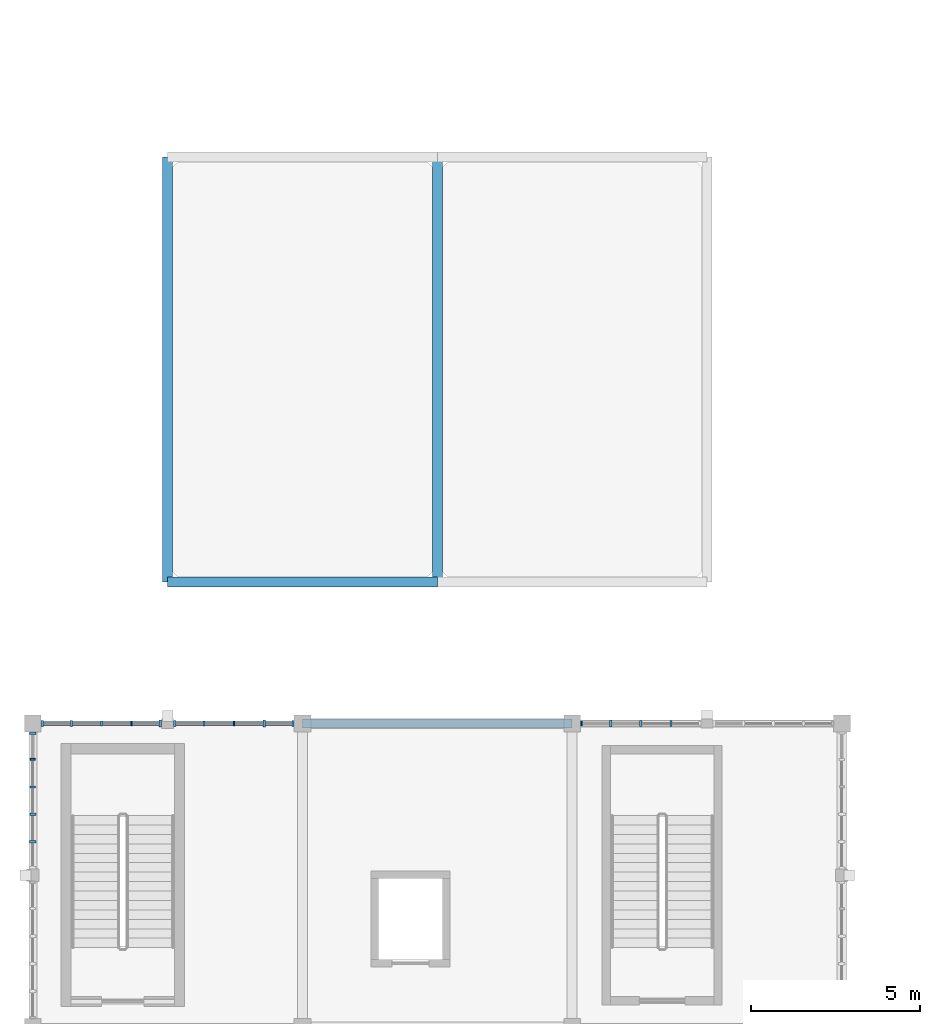
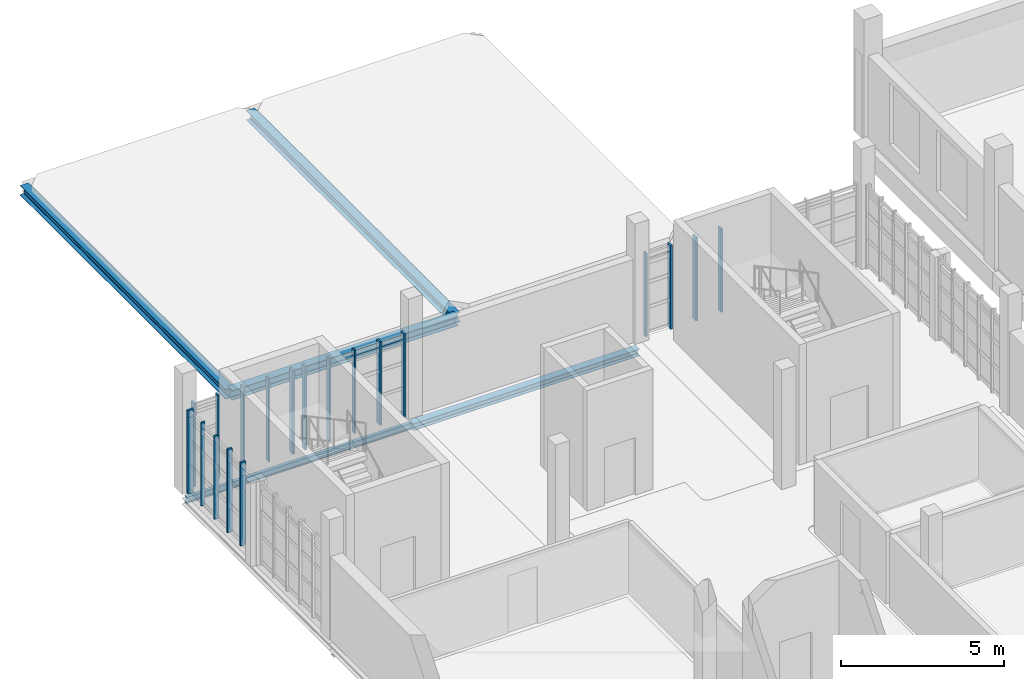
# One storey, part 21 of 125: 19 members, 5 beams, 4 elements without a shape of their own.
"""IFC4 building model written with IfcOpenShell, lengths in metres."""

from ifc_helpers import new_model, si_unit, direction, frame, origin, origin_2d, place, context, subcontext, project, spatial, rectangle, i_section, extrude, material, material_profile, profile_set, type_object, element, aggregate, save


model = new_model("IFC4")

# Units and contexts
model_context = context("Model", 3, precision=1e-05, world=origin(), true_north=direction((0.0, 1.0)))
body_context = subcontext(model_context, "Body", "Model", "MODEL_VIEW")
ifc_project = project(units=[si_unit("LENGTHUNIT", "METRE"), si_unit("AREAUNIT", "SQUARE_METRE"), si_unit("VOLUMEUNIT", "CUBIC_METRE"), si_unit("PLANEANGLEUNIT", "RADIAN"), si_unit("MASSUNIT", "GRAM", prefix="KILO")], contexts=[model_context])

# Site, building, storey
site_placement = place(None, origin())
site = spatial("IfcSite", under=ifc_project, at=site_placement, CompositionType="ELEMENT")
building_placement = place(site_placement, origin())
building = spatial("IfcBuilding", under=site, at=building_placement, Name="Serraforn Aerial Cableway Station", CompositionType="ELEMENT")
storey_placement = place(building_placement, frame((0.0, 0.0, 4.5)))
storey = spatial("IfcBuildingStorey", under=building, at=storey_placement, Name="L01", CompositionType="ELEMENT", Elevation=4.5)

# Beams
ifc_material_1 = material(Name="Steel S355JR", Category="steel")
ifc_material_profile_1 = material_profile(ifc_material_1, i_section(OverallWidth=0.300048828125, OverallDepth=0.360107421875, WebThickness=0.010009765625, FlangeThickness=0.017578125, FilletRadius=0.027099609375, at=origin_2d()), Name="HEA 360")
ifc_profile_set_1 = profile_set([ifc_material_profile_1], Name="Steel S355JR")
beam_type_1 = type_object("IfcBeamType", Name="BM-ST-HEA360", PredefinedType="BEAM", material=ifc_profile_set_1)
beam_1_placement = place(storey_placement, frame((4.0, 40.199951171875, -0.39990234375), z_axis=(1.0, 0.0, 0.0), x_axis=(0.0, 1.0, 0.0)))
element("IfcBeam", 1, at=beam_1_placement, inside=storey, type_object=beam_type_1, Name="Colonnade Spandrel Beam WX-1-1", PredefinedType="BEAM", context=body_context, shape_type="SweptSolid", body=[
    extrude(i_section(OverallWidth=0.300048828125, OverallDepth=0.360107421875, WebThickness=0.010009765625, FlangeThickness=0.017578125, FilletRadius=0.027099609375, at=origin_2d()), origin(), (0.0, 0.0, 1.0), 8.0),
])
for number, where, z_axis, x_axis, name in (
    (2, (4.0, 40.199951171875, -0.39990234375), (0.0, 1.0, 0.0), (-1.0, 0.0, 0.0), "Colonnade Cross Beam WY-1-1"),
    (3, (12.0, 40.199951171875, -0.39990234375), (0.0, 1.0, 0.0), (-1.0, 0.0, 0.0), "Colonnade Cross Beam WY-2-1"),
):
    element("IfcBeam", number, at=place(storey_placement, frame(where, z_axis=z_axis, x_axis=x_axis)), inside=storey, type_object=beam_type_1, Name=name, PredefinedType="BEAM", context=body_context, shape_type="SweptSolid", body=[
        extrude(i_section(OverallWidth=0.300048828125, OverallDepth=0.360107421875, WebThickness=0.010009765625, FlangeThickness=0.017578125, FilletRadius=0.027099609375, at=origin_2d()), origin(), (0.0, 0.0, 1.0), 12.60009765625),
    ])
ifc_material_2 = material(Name="Steel S355J2", Category="steel")
ifc_material_profile_2 = material_profile(ifc_material_2, i_section(OverallWidth=0.260009765625, OverallDepth=0.260009765625, WebThickness=0.010009765625, FlangeThickness=0.017578125, FilletRadius=0.02392578125, at=origin_2d()), Name="HEB 260")
ifc_profile_set_2 = profile_set([ifc_material_profile_2], Name="Steel S355J2")
beam_type_2 = type_object("IfcBeamType", Name="BM-ST-HEB260", PredefinedType="BEAM", material=ifc_profile_set_2)
beam_2_placement = place(storey_placement, frame((8.0, 36.0, -0.449951171875), z_axis=(1.0, 0.0, 0.0), x_axis=(0.0, 1.0, 0.0)))
element("IfcBeam", 4, at=beam_2_placement, inside=storey, type_object=beam_type_2, Name="Grid Girder X W L01 Y5-2", PredefinedType="BEAM", context=body_context, shape_type="SweptSolid", body=[
    extrude(i_section(OverallWidth=0.260009765625, OverallDepth=0.260009765625, WebThickness=0.010009765625, FlangeThickness=0.017578125, FilletRadius=0.02392578125, at=origin_2d()), origin(), (0.0, 0.0, 1.0), 8.0),
])
ifc_material_profile_3 = material_profile(ifc_material_1, i_section(OverallWidth=0.1201171875, OverallDepth=0.239990234375, WebThickness=0.006103515625, FlangeThickness=0.009765625, FilletRadius=0.014892578125, at=origin_2d()), Name="IPE 240")
ifc_profile_set_3 = profile_set([ifc_material_profile_3], Name="Steel S355JR")
beam_type_3 = type_object("IfcBeamType", Name="BM-ST-IPE240", PredefinedType="SPANDREL", material=ifc_profile_set_3)
beam_3_placement = place(storey_placement, frame((0.0, 36.0, -0.43994140625), z_axis=(1.0, 0.0, 0.0), x_axis=(0.0, 1.0, 0.0)))
element("IfcBeam", 5, at=beam_3_placement, inside=storey, type_object=beam_type_3, Name="Grid Girder X W L01 Y5-1", PredefinedType="SPANDREL", context=body_context, shape_type="SweptSolid", body=[
    extrude(i_section(OverallWidth=0.1201171875, OverallDepth=0.239990234375, WebThickness=0.006103515625, FlangeThickness=0.009765625, FilletRadius=0.014892578125, at=origin_2d()), origin(), (0.0, 0.0, 1.0), 8.0),
])

# Curtain wall, member
ifc_material_3 = material(Name="Anodised bronze unitised curtain wall")
curtain_wall_type_1 = type_object("IfcCurtainWallType", Name="CW-SYS-13", PredefinedType="USERDEFINED", material=ifc_material_3)
curtain_wall_1_placement = place(storey_placement, origin())
curtain_wall_1 = element("IfcCurtainWall", 6, at=curtain_wall_1_placement, inside=storey, type_object=curtain_wall_type_1, Name="Unitised Curtain Wall CW-W-L01-N1A", ObjectType="UNITISED CURTAIN WALL", PredefinedType="USERDEFINED")
ifc_material_4 = material(Name="Anodised bronze extruded aluminium", Category="aluminium")
ifc_material_profile_4 = material_profile(ifc_material_4, rectangle(XDim=0.054931640625, YDim=0.139892578125, at=origin_2d()), Name="CW MULLION 55x140")
ifc_profile_set_4 = profile_set([ifc_material_profile_4], Name="Anodised bronze extruded aluminium")
member_type_1 = type_object("IfcMemberType", Name="CW-MUL-1", PredefinedType="MULLION", material=ifc_profile_set_4)
member_1_placement = place(storey_placement, frame((5.966064453125, 36.0, 0.0), z_axis=(0.0, 0.0, 1.0), x_axis=(-1.0, 0.0, 0.0)))
member_1 = element("IfcMember", 7, at=member_1_placement, type_object=member_type_1, Name="Curtain Wall Mullion CW-W-L01-N1A-M3", PredefinedType="MULLION", context=body_context, shape_type="SweptSolid", body=[
    extrude(rectangle(XDim=0.054931640625, YDim=0.139892578125, at=origin_2d()), origin(), (0.0, 0.0, 1.0), 3.1201171875),
])

curtain_wall_type_2 = type_object("IfcCurtainWallType", Name="CW-SYS-14", PredefinedType="USERDEFINED", material=ifc_material_3)
curtain_wall_2_placement = place(storey_placement, origin())
curtain_wall_2 = element("IfcCurtainWall", 8, at=curtain_wall_2_placement, inside=storey, type_object=curtain_wall_type_2, Name="Unitised Curtain Wall CW-W-L01-N1B", ObjectType="UNITISED CURTAIN WALL", PredefinedType="USERDEFINED")
member_2_placement = place(storey_placement, frame((2.927001953125, 36.0, 0.0), z_axis=(0.0, 0.0, 1.0), x_axis=(-1.0, 0.0, 0.0)))
member_2 = element("IfcMember", 9, at=member_2_placement, type_object=member_type_1, Name="Curtain Wall Mullion CW-W-L01-N1B-M2", PredefinedType="MULLION", context=body_context, shape_type="SweptSolid", body=[
    extrude(rectangle(XDim=0.054931640625, YDim=0.139892578125, at=origin_2d()), origin(), (0.0, 0.0, 1.0), 3.1201171875),
])

curtain_wall_type_3 = type_object("IfcCurtainWallType", Name="CW-SYS-16", PredefinedType="USERDEFINED", material=ifc_material_3)
curtain_wall_3_placement = place(storey_placement, origin())
curtain_wall_3 = element("IfcCurtainWall", 10, at=curtain_wall_3_placement, inside=storey, type_object=curtain_wall_type_3, Name="Unitised Curtain Wall CW-W-L01-N3B", ObjectType="UNITISED CURTAIN WALL", PredefinedType="USERDEFINED")
member_3_placement = place(storey_placement, frame((16.275390625, 36.0, 0.0), z_axis=(0.0, 0.0, 1.0), x_axis=(-1.0, 0.0, 0.0)))
member_3 = element("IfcMember", 11, at=member_3_placement, type_object=member_type_1, Name="Curtain Wall Mullion CW-W-L01-N3B-M5", PredefinedType="MULLION", context=body_context, shape_type="SweptSolid", body=[
    extrude(rectangle(XDim=0.054931640625, YDim=0.139892578125, at=origin_2d()), origin(), (0.0, 0.0, 1.0), 3.1201171875),
])

curtain_wall_type_4 = type_object("IfcCurtainWallType", Name="CW-SYS-19", PredefinedType="USERDEFINED", material=ifc_material_3)
curtain_wall_4_placement = place(storey_placement, origin())
curtain_wall_4 = element("IfcCurtainWall", 12, at=curtain_wall_4_placement, inside=storey, type_object=curtain_wall_type_4, Name="Unitised Curtain Wall CW-W-L01-W4A", ObjectType="UNITISED CURTAIN WALL", PredefinedType="USERDEFINED")
member_4_placement = place(storey_placement, frame((0.0, 34.9375, 0.0), z_axis=(0.0, 0.0, 1.0), x_axis=(0.0, -1.0, 0.0)))
member_4 = element("IfcMember", 13, at=member_4_placement, type_object=member_type_1, Name="Curtain Wall Mullion CW-W-L01-W4A-M2", PredefinedType="MULLION", context=body_context, shape_type="SweptSolid", body=[
    extrude(rectangle(XDim=0.054931640625, YDim=0.139892578125, at=origin_2d()), origin(), (0.0, 0.0, 1.0), 3.1201171875),
])

# Member
ifc_material_profile_5 = material_profile(ifc_material_4, rectangle(XDim=0.06005859375, YDim=0.159912109375, at=origin_2d()), Name="CW MULLION 60x160")
ifc_profile_set_5 = profile_set([ifc_material_profile_5], Name="Anodised bronze extruded aluminium")
member_type_2 = type_object("IfcMemberType", Name="CW-MUL-2", PredefinedType="MULLION", material=ifc_profile_set_5)
member_5_placement = place(storey_placement, frame((5.072998046875, 36.0, 0.0), z_axis=(0.0, 0.0, 1.0), x_axis=(-1.0, 0.0, 0.0)))
member_5 = element("IfcMember", 14, at=member_5_placement, type_object=member_type_2, Name="Curtain Wall Mullion CW-W-L01-N1A-M4", PredefinedType="MULLION", context=body_context, shape_type="SweptSolid", body=[
    extrude(rectangle(XDim=0.06005859375, YDim=0.159912109375, at=origin_2d()), origin(), (0.0, 0.0, 1.0), 3.1201171875),
])

member_6_placement = place(storey_placement, frame((2.033935546875, 36.0, 0.0), z_axis=(0.0, 0.0, 1.0), x_axis=(-1.0, 0.0, 0.0)))
member_6 = element("IfcMember", 15, at=member_6_placement, type_object=member_type_2, Name="Curtain Wall Mullion CW-W-L01-N1B-M3", PredefinedType="MULLION", context=body_context, shape_type="SweptSolid", body=[
    extrude(rectangle(XDim=0.06005859375, YDim=0.159912109375, at=origin_2d()), origin(), (0.0, 0.0, 1.0), 3.1201171875),
])

member_7_placement = place(storey_placement, frame((0.0, 34.123291015625, 0.0), z_axis=(0.0, 0.0, 1.0), x_axis=(0.0, -1.0, 0.0)))
member_7 = element("IfcMember", 16, at=member_7_placement, type_object=member_type_2, Name="Curtain Wall Mullion CW-W-L01-W4A-M3", PredefinedType="MULLION", context=body_context, shape_type="SweptSolid", body=[
    extrude(rectangle(XDim=0.06005859375, YDim=0.159912109375, at=origin_2d()), origin(), (0.0, 0.0, 1.0), 3.1201171875),
])

ifc_material_profile_6 = material_profile(ifc_material_4, rectangle(XDim=0.06494140625, YDim=0.175048828125, at=origin_2d()), Name="CW MULLION 65x175")
ifc_profile_set_6 = profile_set([ifc_material_profile_6], Name="Anodised bronze extruded aluminium")
member_type_3 = type_object("IfcMemberType", Name="CW-MUL-3", PredefinedType="MULLION", material=ifc_profile_set_6)
member_8_placement = place(storey_placement, frame((4.21240234375, 36.0, 0.0), z_axis=(0.0, 0.0, 1.0), x_axis=(-1.0, 0.0, 0.0)))
member_8 = element("IfcMember", 17, at=member_8_placement, type_object=member_type_3, Name="Curtain Wall Mullion CW-W-L01-N1A-M5", PredefinedType="MULLION", context=body_context, shape_type="SweptSolid", body=[
    extrude(rectangle(XDim=0.06494140625, YDim=0.175048828125, at=origin_2d()), origin(), (0.0, 0.0, 1.0), 3.1201171875),
])

member_9_placement = place(storey_placement, frame((1.14111328125, 36.0, 0.0), z_axis=(0.0, 0.0, 1.0), x_axis=(-1.0, 0.0, 0.0)))
member_9 = element("IfcMember", 18, at=member_9_placement, type_object=member_type_3, Name="Curtain Wall Mullion CW-W-L01-N1B-M4", PredefinedType="MULLION", context=body_context, shape_type="SweptSolid", body=[
    extrude(rectangle(XDim=0.06494140625, YDim=0.175048828125, at=origin_2d()), origin(), (0.0, 0.0, 1.0), 3.1201171875),
])

member_10_placement = place(storey_placement, frame((18.927001953125, 36.0, 0.0), z_axis=(0.0, 0.0, 1.0), x_axis=(-1.0, 0.0, 0.0)))
member_10 = element("IfcMember", 19, at=member_10_placement, type_object=member_type_3, Name="Curtain Wall Mullion CW-W-L01-N3B-M2", PredefinedType="MULLION", context=body_context, shape_type="SweptSolid", body=[
    extrude(rectangle(XDim=0.06494140625, YDim=0.175048828125, at=origin_2d()), origin(), (0.0, 0.0, 1.0), 3.1201171875),
])

member_11_placement = place(storey_placement, frame((0.0, 33.308837890625, 0.0), z_axis=(0.0, 0.0, 1.0), x_axis=(0.0, -1.0, 0.0)))
member_11 = element("IfcMember", 20, at=member_11_placement, type_object=member_type_3, Name="Curtain Wall Mullion CW-W-L01-W4A-M4", PredefinedType="MULLION", context=body_context, shape_type="SweptSolid", body=[
    extrude(rectangle(XDim=0.06494140625, YDim=0.175048828125, at=origin_2d()), origin(), (0.0, 0.0, 1.0), 3.1201171875),
])

ifc_material_profile_7 = material_profile(ifc_material_4, rectangle(XDim=0.070068359375, YDim=0.18994140625, at=origin_2d()), Name="CW MULLION 70x190")
ifc_profile_set_7 = profile_set([ifc_material_profile_7], Name="Anodised bronze extruded aluminium")
member_type_4 = type_object("IfcMemberType", Name="CW-MUL-4", PredefinedType="MULLION", material=ifc_profile_set_7)
member_12_placement = place(storey_placement, frame((7.717041015625, 36.0, 0.0), z_axis=(0.0, 0.0, 1.0), x_axis=(-1.0, 0.0, 0.0)))
member_12 = element("IfcMember", 21, at=member_12_placement, type_object=member_type_4, Name="Curtain Wall Mullion CW-W-L01-N1A-M1", PredefinedType="MULLION", context=body_context, shape_type="SweptSolid", body=[
    extrude(rectangle(XDim=0.070068359375, YDim=0.18994140625, at=origin_2d()), origin(), (0.0, 0.0, 1.0), 3.1201171875),
])

member_13_placement = place(storey_placement, frame((0.282958984375, 36.0, 0.0), z_axis=(0.0, 0.0, 1.0), x_axis=(-1.0, 0.0, 0.0)))
member_13 = element("IfcMember", 22, at=member_13_placement, type_object=member_type_4, Name="Curtain Wall Mullion CW-W-L01-N1B-M5", PredefinedType="MULLION", context=body_context, shape_type="SweptSolid", body=[
    extrude(rectangle(XDim=0.070068359375, YDim=0.18994140625, at=origin_2d()), origin(), (0.0, 0.0, 1.0), 3.1201171875),
])

member_14_placement = place(storey_placement, frame((18.033935546875, 36.0, 0.0), z_axis=(0.0, 0.0, 1.0), x_axis=(-1.0, 0.0, 0.0)))
member_14 = element("IfcMember", 23, at=member_14_placement, type_object=member_type_4, Name="Curtain Wall Mullion CW-W-L01-N3B-M3", PredefinedType="MULLION", context=body_context, shape_type="SweptSolid", body=[
    extrude(rectangle(XDim=0.070068359375, YDim=0.18994140625, at=origin_2d()), origin(), (0.0, 0.0, 1.0), 3.1201171875),
])

member_15_placement = place(storey_placement, frame((0.0, 32.494384765625, 0.0), z_axis=(0.0, 0.0, 1.0), x_axis=(0.0, -1.0, 0.0)))
member_15 = element("IfcMember", 24, at=member_15_placement, type_object=member_type_4, Name="Curtain Wall Mullion CW-W-L01-W4A-M5", PredefinedType="MULLION", context=body_context, shape_type="SweptSolid", body=[
    extrude(rectangle(XDim=0.070068359375, YDim=0.18994140625, at=origin_2d()), origin(), (0.0, 0.0, 1.0), 3.1201171875),
])

ifc_material_profile_8 = material_profile(ifc_material_4, rectangle(XDim=0.074951171875, YDim=0.199951171875, at=origin_2d()), Name="CW MULLION 75x200")
ifc_profile_set_8 = profile_set([ifc_material_profile_8], Name="Anodised bronze extruded aluminium")
member_type_5 = type_object("IfcMemberType", Name="CW-MUL-5", PredefinedType="MULLION", material=ifc_profile_set_8)
member_16_placement = place(storey_placement, frame((6.85888671875, 36.0, 0.0), z_axis=(0.0, 0.0, 1.0), x_axis=(-1.0, 0.0, 0.0)))
member_16 = element("IfcMember", 25, at=member_16_placement, type_object=member_type_5, Name="Curtain Wall Mullion CW-W-L01-N1A-M2", PredefinedType="MULLION", context=body_context, shape_type="SweptSolid", body=[
    extrude(rectangle(XDim=0.074951171875, YDim=0.199951171875, at=origin_2d()), origin(), (0.0, 0.0, 1.0), 3.1201171875),
])

aggregate(curtain_wall_1, [member_12, member_16, member_1, member_5, member_8])

member_17_placement = place(storey_placement, frame((3.782470703125, 36.0, 0.0), z_axis=(0.0, 0.0, 1.0), x_axis=(-1.0, 0.0, 0.0)))
member_17 = element("IfcMember", 26, at=member_17_placement, type_object=member_type_5, Name="Curtain Wall Mullion CW-W-L01-N1B-M1", PredefinedType="MULLION", context=body_context, shape_type="SweptSolid", body=[
    extrude(rectangle(XDim=0.074951171875, YDim=0.199951171875, at=origin_2d()), origin(), (0.0, 0.0, 1.0), 3.1201171875),
])

aggregate(curtain_wall_2, [member_17, member_2, member_6, member_9, member_13])

member_18_placement = place(storey_placement, frame((17.14111328125, 36.0, 0.0), z_axis=(0.0, 0.0, 1.0), x_axis=(-1.0, 0.0, 0.0)))
member_18 = element("IfcMember", 27, at=member_18_placement, type_object=member_type_5, Name="Curtain Wall Mullion CW-W-L01-N3B-M4", PredefinedType="MULLION", context=body_context, shape_type="SweptSolid", body=[
    extrude(rectangle(XDim=0.074951171875, YDim=0.199951171875, at=origin_2d()), origin(), (0.0, 0.0, 1.0), 3.1201171875),
])

aggregate(curtain_wall_3, [member_10, member_14, member_18, member_3])

member_19_placement = place(storey_placement, frame((0.0, 35.714599609375, 0.0), z_axis=(0.0, 0.0, 1.0), x_axis=(0.0, -1.0, 0.0)))
member_19 = element("IfcMember", 28, at=member_19_placement, type_object=member_type_5, Name="Curtain Wall Mullion CW-W-L01-W4A-M1", PredefinedType="MULLION", context=body_context, shape_type="SweptSolid", body=[
    extrude(rectangle(XDim=0.074951171875, YDim=0.199951171875, at=origin_2d()), origin(), (0.0, 0.0, 1.0), 3.1201171875),
])

aggregate(curtain_wall_4, [member_19, member_4, member_7, member_11, member_15])

save(model, "model.ifc")
